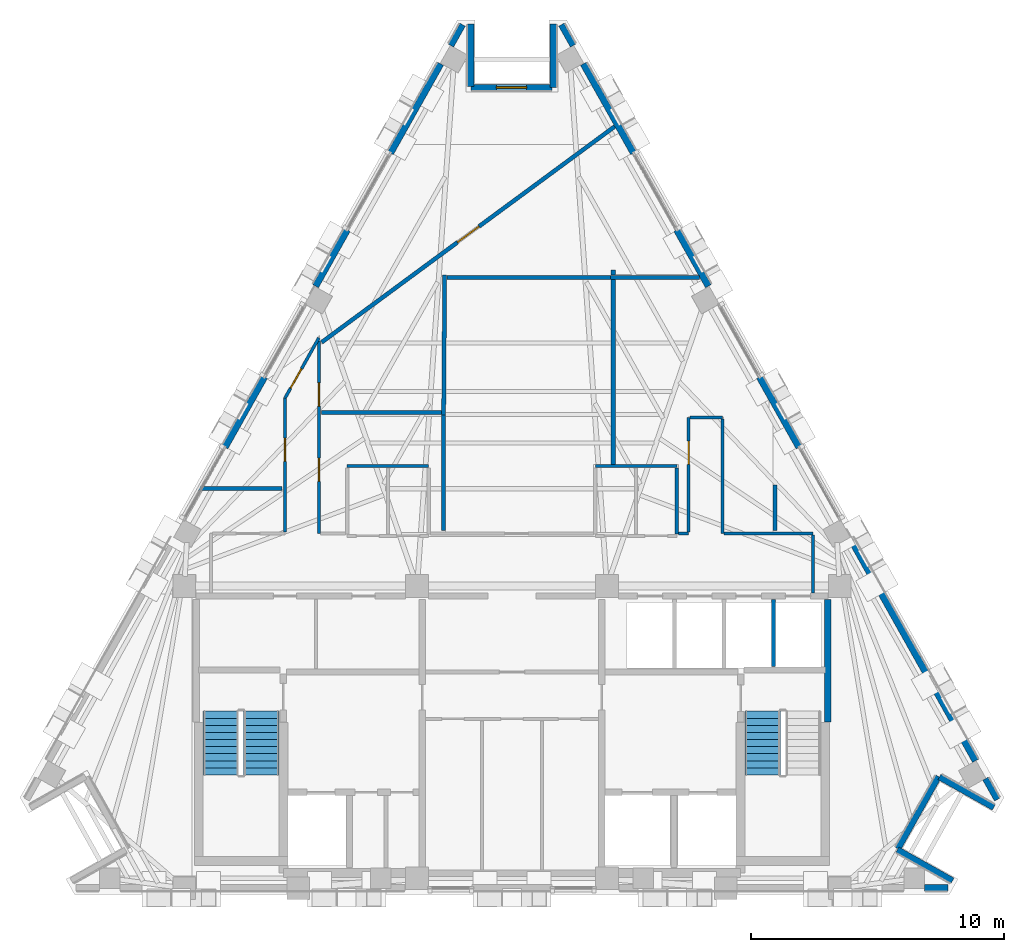
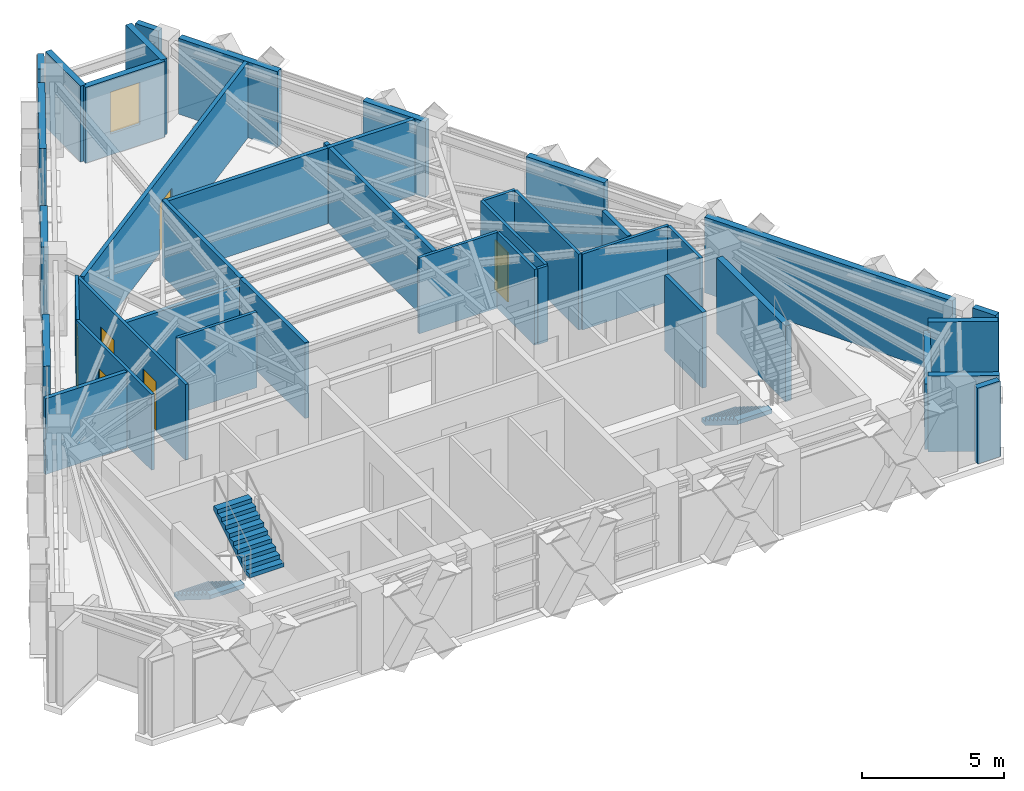
# One storey, part 8 of 11: 41 walls, 6 doors, 3 stair flights, 1 window, 7 openings, 2 elements without a shape of their own.
"""IFC4 building model written with IfcOpenShell, lengths in metres."""

from ifc_helpers import new_model, si_unit, direction, frame, frame_2d, origin, place, context, subcontext, project, spatial, polyline, rectangle, outline, extrude, material, layer, layer_set, type_object, element, fill, aggregate, save


model = new_model("IFC4")

# Units and contexts
model_context = context("Model", 3, precision=1e-05, world=origin(), true_north=direction((0.0, 1.0)))
body_context = subcontext(model_context, "Body", "Model", "MODEL_VIEW")
ifc_project = project(units=[si_unit("LENGTHUNIT", "METRE"), si_unit("AREAUNIT", "SQUARE_METRE"), si_unit("VOLUMEUNIT", "CUBIC_METRE"), si_unit("PLANEANGLEUNIT", "RADIAN"), si_unit("MASSUNIT", "GRAM", prefix="KILO")], contexts=[model_context])

# Site, building, storey
site_placement = place(None, origin())
site = spatial("IfcSite", under=ifc_project, at=site_placement, CompositionType="ELEMENT")
building_placement = place(site_placement, origin())
building = spatial("IfcBuilding", under=site, at=building_placement, Name="Quenlor Broadcast Tower", CompositionType="ELEMENT")
storey_placement = place(building_placement, frame((0.0, 0.0, 242.89990234375)))
storey = spatial("IfcBuildingStorey", under=building, at=storey_placement, Name="L67", CompositionType="ELEMENT", Elevation=242.89990234375)

# Walls
ifc_material_1 = material(Name="Concrete C40/50", Category="concrete")
ifc_layer_1 = layer(ifc_material_1, 0.25)
ifc_layer_set_1 = layer_set([ifc_layer_1], Name="Fire Rated Concrete C40/50 Core Wall 250")
wall_type_1 = type_object("IfcWallType", Name="Fire Rated Concrete C40/50 Core Wall 250", PredefinedType="PARTITIONING", material=ifc_layer_set_1)
wall_1_placement = place(storey_placement, frame((12.47998046875, -10.179931640625, 0.0), z_axis=(0.0, 0.0, 1.0), x_axis=(0.0, 1.0, 0.0)))
element("IfcWall", 1, at=wall_1_placement, inside=storey, type_object=wall_type_1, Name="L67 Interior Wall CW-ST2-E2", PredefinedType="PARTITIONING", context=body_context, shape_type="SweptSolid", body=[
    extrude(rectangle(XDim=4.83984375, YDim=0.25, at=frame_2d((2.419921875, 0.0))), origin(), (0.0, 0.0, 1.0), 3.25),
])
ifc_material_2 = material(Name="Gypsum Fireboard Partition", Category="other")
ifc_layer_2 = layer(ifc_material_2, 0.159912109375)
ifc_layer_set_2 = layer_set([ifc_layer_2], Name="Fire Rated Shaft and Corridor Partition 160")
wall_type_2 = type_object("IfcWallType", Name="Fire Rated Shaft and Corridor Partition 160", PredefinedType="PARTITIONING", material=ifc_layer_set_2)
wall_2_placement = place(storey_placement, frame((10.324951171875, -7.992919921875, 0.0), z_axis=(0.0, 0.0, 1.0), x_axis=(0.0, 1.0, 0.0)))
element("IfcWall", 2, at=wall_2_placement, inside=storey, type_object=wall_type_2, Name="L67 Interior Wall CW-PLH-D3", PredefinedType="PARTITIONING", context=body_context, shape_type="SweptSolid", body=[
    extrude(rectangle(XDim=2.65283203125, YDim=0.159912109375, at=frame_2d((1.326416015625, 0.0))), origin(), (0.0, 0.0, 1.0), 3.25),
])

# Wall, opening, door
wall_3_placement = place(storey_placement, frame((4.059326171875, 13.353271484375, 0.0), z_axis=(0.0, 0.0, 1.0), x_axis=(-0.805191081939, -0.593015448, 0.0)))
wall_3 = element("IfcWall", 3, at=wall_3_placement, inside=storey, type_object=wall_type_2, Name="L67 Interior Wall PW-DV-01", PredefinedType="PARTITIONING", context=body_context, shape_type="SweptSolid", body=[
    extrude(rectangle(XDim=14.380859375, YDim=0.159912109375, at=frame_2d((7.1904296875, 0.0))), origin(), (0.0, 0.0, 1.0), 3.25),
])
opening_1_placement = place(wall_3_placement, frame((6.6650390625, 0.0, 0.0)))
opening_1 = element("IfcOpeningElement", 4, at=opening_1_placement, cuts=wall_3, Name="Opening FD-3", PredefinedType="OPENING", context=body_context, shape_type="SweptSolid", body=[
    extrude(rectangle(XDim=1.050048828125, YDim=2.1201171875, at=frame_2d((0.52490234375, 1.06005859375))), frame((0.0, 0.08984375, 0.0), z_axis=(0.0, -1.0, 0.0), x_axis=(1.0, 0.0, 0.0)), (0.0, 0.0, 1.0), 0.179931640625),
])
ifc_material_3 = material(Name="Galvanised Fire Steel Leaf", Category="steel")
door_type_1 = type_object("IfcDoorType", Name="Plant Room Fire Rated Door 1050x2120", OperationType="NOTDEFINED", PredefinedType="DOOR", material=ifc_material_3)
door_1_placement = place(opening_1_placement, origin())
door_1 = element("IfcDoor", 5, at=door_1_placement, inside=storey, type_object=door_type_1, Name="L67 Connecting Door FB01", OperationType="SINGLE_SWING_LEFT", OverallHeight=2.1201171875, OverallWidth=1.050048828125, PredefinedType="DOOR", context=body_context, shape_type="SweptSolid", body=[
    extrude(rectangle(XDim=1.050048828125, YDim=2.1201171875, at=frame_2d((0.52490234375, 1.06005859375))), frame((0.0, 0.02490234375, 0.0), z_axis=(0.0, -1.0, 0.0), x_axis=(1.0, 0.0, 0.0)), (0.0, 0.0, 1.0), 0.050048828125),
])
fill(opening_1, door_1)

# Walls
wall_4_placement = place(storey_placement, frame((7.41357421875, 7.389892578125, 0.0), z_axis=(0.0, 0.0, 1.0), x_axis=(-0.99999938203, 0.001111728051, 0.0)))
element("IfcWall", 6, at=wall_4_placement, inside=storey, type_object=wall_type_2, Name="L67 Interior Wall PW-DV-02", PredefinedType="PARTITIONING", context=body_context, shape_type="SweptSolid", body=[
    extrude(rectangle(XDim=3.513671875, YDim=0.159912109375, at=frame_2d((1.7568359375, 0.0))), origin(), (0.0, 0.0, 1.0), 3.25),
])
wall_5_placement = place(storey_placement, frame((-2.6591796875, 7.49365234375, 0.0), z_axis=(0.0, 0.0, 1.0), x_axis=(-0.0074963718, -0.99997190181, 0.0)))
element("IfcWall", 7, at=wall_5_placement, inside=storey, type_object=wall_type_2, Name="L67 Interior Wall PW-DV-03", PredefinedType="PARTITIONING", context=body_context, shape_type="SweptSolid", body=[
    extrude(rectangle(XDim=5.53662109375, YDim=0.159912109375, at=frame_2d((2.768310546875, 0.0))), origin(), (0.0, 0.0, 1.0), 3.25),
])
wall_6_placement = place(storey_placement, frame((3.89794921875, 7.3935546875, 0.0), z_axis=(0.0, 0.0, 1.0), x_axis=(-1.0, 0.0, 0.0)))
element("IfcWall", 8, at=wall_6_placement, inside=storey, type_object=wall_type_2, Name="L67 Interior Wall PW-DV-04", PredefinedType="PARTITIONING", context=body_context, shape_type="SweptSolid", body=[
    extrude(rectangle(XDim=6.475830078125, YDim=0.159912109375, at=frame_2d((3.23779296875, 0.0))), origin(), (0.0, 0.0, 1.0), 3.25),
])
wall_7_placement = place(storey_placement, frame((-2.781982421875, 2.057373046875, 0.0), z_axis=(0.0, 0.0, 1.0), x_axis=(-1.0, 0.0, 0.0)))
element("IfcWall", 9, at=wall_7_placement, inside=storey, type_object=wall_type_2, Name="L67 Interior Wall PW-DV-05", PredefinedType="PARTITIONING", context=body_context, shape_type="SweptSolid", body=[
    extrude(rectangle(XDim=4.738037109375, YDim=0.159912109375, at=frame_2d((2.369140625, 0.0))), origin(), (0.0, 0.0, 1.0), 2.94287109375),
])
wall_8_placement = place(storey_placement, frame((4.0, -0.010009765625, 0.0), z_axis=(0.0, 0.0, 1.0), x_axis=(0.0, 1.0, 0.0)))
element("IfcWall", 10, at=wall_8_placement, inside=storey, type_object=wall_type_2, Name="L67 Interior Wall PW-DV-06", PredefinedType="PARTITIONING", context=body_context, shape_type="SweptSolid", body=[
    extrude(rectangle(XDim=7.321533203125, YDim=0.159912109375, at=frame_2d((3.66064453125, 0.0))), origin(), (0.0, 0.0, 1.0), 3.25),
])
wall_9_placement = place(storey_placement, frame((4.0, 7.4755859375, 0.0), z_axis=(0.0, 0.0, 1.0), x_axis=(0.0, 1.0, 0.0)))
element("IfcWall", 11, at=wall_9_placement, inside=storey, type_object=wall_type_2, Name="L67 Interior Wall PW-DV-06S2", PredefinedType="PARTITIONING", context=body_context, shape_type="SweptSolid", body=[
    extrude(rectangle(XDim=0.204345703125, YDim=0.159912109375, at=frame_2d((0.10205078125, 0.0))), origin(), (0.0, 0.0, 1.0), 3.25),
])
wall_10_placement = place(storey_placement, frame((10.389892578125, -0.8134765625, 0.0), z_axis=(0.0, 0.0, 1.0), x_axis=(0.0, -1.0, 0.0)))
element("IfcWall", 12, at=wall_10_placement, inside=storey, type_object=wall_type_2, Name="L67 Interior Wall PW-DV-07", PredefinedType="PARTITIONING", context=body_context, shape_type="SweptSolid", body=[
    extrude(rectangle(XDim=1.806640625, YDim=0.159912109375, at=frame_2d((0.9033203125, 0.0))), origin(), (0.0, 0.0, 1.0), 3.25),
])
wall_11_placement = place(storey_placement, frame((-2.699951171875, -2.6201171875, 0.0), z_axis=(0.0, 0.0, 1.0), x_axis=(0.0, 1.0, 0.0)))
element("IfcWall", 13, at=wall_11_placement, inside=storey, type_object=wall_type_2, Name="L67 Interior Wall PW-DV-08", PredefinedType="PARTITIONING", context=body_context, shape_type="SweptSolid", body=[
    extrude(rectangle(XDim=4.575439453125, YDim=0.159912109375, at=frame_2d((2.28759765625, 0.0))), origin(), (0.0, 0.0, 1.0), 3.25),
])
wall_12_placement = place(storey_placement, frame((-9.080078125, -0.953369140625, 0.0), z_axis=(0.0, 0.0, 1.0), x_axis=(-1.0, 0.0, 0.0)))
element("IfcWall", 14, at=wall_12_placement, inside=storey, type_object=wall_type_2, Name="L67 Interior Wall PW-DV-09", PredefinedType="PARTITIONING", context=body_context, shape_type="SweptSolid", body=[
    extrude(rectangle(XDim=3.298583984375, YDim=0.159912109375, at=frame_2d((1.6494140625, 0.0))), origin(), (0.0, 0.0, 1.0), 3.25),
])
ifc_material_4 = material(Name="Gypsum Plasterboard Partition", Category="other")
ifc_layer_3 = layer(ifc_material_4, 0.1201171875)
ifc_layer_set_3 = layer_set([ifc_layer_3], Name="Standard Office Partition 120")
wall_type_3 = type_object("IfcWallType", Name="Standard Office Partition 120", PredefinedType="PARTITIONING", material=ifc_layer_set_3)
for number, where, z_axis, x_axis, name in (
    (15, (-6.510009765625, -0.070068359375, 0.0), (0.0, 0.0, 1.0), (1.0, 0.0, 0.0), "L67 Interior Wall PW-WCW-N"),
    (16, (3.2900390625, -0.070068359375, 0.0), (0.0, 0.0, 1.0), (1.0, 0.0, 0.0), "L67 Interior Wall PW-WCE-N"),
):
    element("IfcWall", number, at=place(storey_placement, frame(where, z_axis=z_axis, x_axis=x_axis)), inside=storey, type_object=wall_type_3, Name=name, PredefinedType="PARTITIONING", context=body_context, shape_type="SweptSolid", body=[
        extrude(rectangle(XDim=3.219970703125, YDim=0.1201171875, at=frame_2d((1.60986328125, 0.0))), origin(), (0.0, 0.0, 1.0), 3.25),
    ])
wall_13_placement = place(storey_placement, frame((6.510009765625, -2.758056640625, 0.0), z_axis=(0.0, 0.0, 1.0), x_axis=(0.0, 1.0, 0.0)))
element("IfcWall", 17, at=wall_13_placement, inside=storey, type_object=wall_type_3, Name="L67 Interior Wall PW-WCE-E", PredefinedType="PARTITIONING", context=body_context, shape_type="SweptSolid", body=[
    extrude(rectangle(XDim=2.6259765625, YDim=0.1201171875, at=frame_2d((1.31298828125, 0.0))), origin(), (0.0, 0.0, 1.0), 3.25),
])

# Wall, opening, door
wall_14_placement = place(storey_placement, frame((-8.969970703125, -2.66796875, 0.0), z_axis=(0.0, 0.0, 1.0), x_axis=(0.0, 1.0, 0.0)))
wall_14 = element("IfcWall", 18, at=wall_14_placement, inside=storey, type_object=wall_type_3, Name="L67 Interior Wall PW-CR-03", PredefinedType="PARTITIONING", context=body_context, shape_type="SweptSolid", body=[
    extrude(rectangle(XDim=5.2861328125, YDim=0.1201171875, at=frame_2d((2.64306640625, 0.0))), origin(), (0.0, 0.0, 1.0), 3.25),
])
opening_2_placement = place(wall_14_placement, frame((2.791015625, 0.0, 0.0)))
opening_2 = element("IfcOpeningElement", 19, at=opening_2_placement, cuts=wall_14, Name="Opening ID-1", PredefinedType="OPENING", context=body_context, shape_type="SweptSolid", body=[
    extrude(rectangle(XDim=0.919921875, YDim=2.1201171875, at=frame_2d((0.4599609375, 1.06005859375))), frame((0.0, 0.070068359375, 0.0), z_axis=(0.0, -1.0, 0.0), x_axis=(1.0, 0.0, 0.0)), (0.0, 0.0, 1.0), 0.14013671875),
])
ifc_material_5 = material(Name="Solid Core Timber Oak", Category="wood")
door_type_2 = type_object("IfcDoorType", Name="Single Leaf Timber Office Door 920x2120", OperationType="NOTDEFINED", PredefinedType="DOOR", material=ifc_material_5)
door_2_placement = place(opening_2_placement, origin())
door_2 = element("IfcDoor", 20, at=door_2_placement, inside=storey, type_object=door_type_2, Name="L67 Door DR-RM05", OperationType="SINGLE_SWING_RIGHT", OverallHeight=2.1201171875, OverallWidth=0.919921875, PredefinedType="DOOR", context=body_context, shape_type="SweptSolid", body=[
    extrude(rectangle(XDim=0.919921875, YDim=2.1201171875, at=frame_2d((0.4599609375, 1.06005859375))), frame((0.0, 0.02490234375, 0.0), z_axis=(0.0, -1.0, 0.0), x_axis=(1.0, 0.0, 0.0)), (0.0, 0.0, 1.0), 0.050048828125),
])
fill(opening_2, door_2)

wall_15_placement = place(storey_placement, frame((-8.968994140625, 2.6201171875, 0.0), z_axis=(0.0, 0.0, 1.0), x_axis=(0.490341880416, 0.871530171773, 0.0)))
wall_15 = element("IfcWall", 21, at=wall_15_placement, inside=storey, type_object=wall_type_3, Name="L67 Interior Wall PW-CR-04", PredefinedType="PARTITIONING", context=body_context, shape_type="SweptSolid", body=[
    extrude(rectangle(XDim=2.73095703125, YDim=0.1201171875, at=frame_2d((1.365478515625, 0.0))), origin(), (0.0, 0.0, 1.0), 3.25),
])
opening_3_placement = place(wall_15_placement, frame((0.450927734375, 0.0, 0.0)))
opening_3 = element("IfcOpeningElement", 22, at=opening_3_placement, cuts=wall_15, Name="Opening ID-4", PredefinedType="OPENING", context=body_context, shape_type="SweptSolid", body=[
    extrude(rectangle(XDim=0.8798828125, YDim=2.1201171875, at=frame_2d((0.43994140625, 1.06005859375))), frame((0.0, 0.070068359375, 0.0), z_axis=(0.0, -1.0, 0.0), x_axis=(1.0, 0.0, 0.0)), (0.0, 0.0, 1.0), 0.14013671875),
])
ifc_material_6 = material(Name="Solid Core Timber Oak", Category="wood")
door_type_3 = type_object("IfcDoorType", Name="Service Closet Timber Door 880x2120", OperationType="NOTDEFINED", PredefinedType="DOOR", material=ifc_material_6)
door_3_placement = place(opening_3_placement, origin())
door_3 = element("IfcDoor", 23, at=door_3_placement, inside=storey, type_object=door_type_3, Name="L67 Door DR-RM01", OperationType="SINGLE_SWING_RIGHT", OverallHeight=2.1201171875, OverallWidth=0.8798828125, PredefinedType="DOOR", context=body_context, shape_type="SweptSolid", body=[
    extrude(rectangle(XDim=0.8798828125, YDim=2.1201171875, at=frame_2d((0.43994140625, 1.06005859375))), frame((0.0, 0.02490234375, 0.0), z_axis=(0.0, -1.0, 0.0), x_axis=(1.0, 0.0, 0.0)), (0.0, 0.0, 1.0), 0.050048828125),
])
fill(opening_3, door_3)

# Wall, openings, doors
wall_16_placement = place(storey_placement, frame((-7.6298828125, 4.873779296875, 0.0), z_axis=(0.0, 0.0, 1.0), x_axis=(0.0, -1.0, 0.0)))
wall_16 = element("IfcWall", 24, at=wall_16_placement, inside=storey, type_object=wall_type_3, Name="L67 Interior Wall PW-CR-05", PredefinedType="PARTITIONING", context=body_context, shape_type="SweptSolid", body=[
    extrude(rectangle(XDim=7.603759765625, YDim=0.1201171875, at=frame_2d((3.8017578125, 0.0))), origin(), (0.0, 0.0, 1.0), 3.25),
])
opening_4_placement = place(wall_16_placement, frame((1.655029296875, 0.0, 0.0)))
opening_4 = element("IfcOpeningElement", 25, at=opening_4_placement, cuts=wall_16, Name="Opening ID-1", PredefinedType="OPENING", context=body_context, shape_type="SweptSolid", body=[
    extrude(rectangle(XDim=0.919921875, YDim=2.1201171875, at=frame_2d((0.4599609375, 1.06005859375))), frame((0.0, 0.070068359375, 0.0), z_axis=(0.0, -1.0, 0.0), x_axis=(1.0, 0.0, 0.0)), (0.0, 0.0, 1.0), 0.14013671875),
])
opening_5_placement = place(wall_16_placement, frame((4.6201171875, 0.0, 0.0)))
opening_5 = element("IfcOpeningElement", 26, at=opening_5_placement, cuts=wall_16, Name="Opening ID-1", PredefinedType="OPENING", context=body_context, shape_type="SweptSolid", body=[
    extrude(rectangle(XDim=0.919921875, YDim=2.1201171875, at=frame_2d((0.4599609375, 1.06005859375))), frame((0.0, 0.070068359375, 0.0), z_axis=(0.0, -1.0, 0.0), x_axis=(1.0, 0.0, 0.0)), (0.0, 0.0, 1.0), 0.14013671875),
])
door_4_placement = place(opening_4_placement, origin())
door_4 = element("IfcDoor", 27, at=door_4_placement, inside=storey, type_object=door_type_2, Name="L67 Door DR-RM02", OperationType="SINGLE_SWING_LEFT", OverallHeight=2.1201171875, OverallWidth=0.919921875, PredefinedType="DOOR", context=body_context, shape_type="SweptSolid", body=[
    extrude(rectangle(XDim=0.919921875, YDim=2.1201171875, at=frame_2d((0.4599609375, 1.06005859375))), frame((0.0, 0.02490234375, 0.0), z_axis=(0.0, -1.0, 0.0), x_axis=(1.0, 0.0, 0.0)), (0.0, 0.0, 1.0), 0.050048828125),
])
fill(opening_4, door_4)
door_5_placement = place(opening_5_placement, origin())
door_5 = element("IfcDoor", 28, at=door_5_placement, inside=storey, type_object=door_type_2, Name="L67 Door DR-RM06", OperationType="SINGLE_SWING_LEFT", OverallHeight=2.1201171875, OverallWidth=0.919921875, PredefinedType="DOOR", context=body_context, shape_type="SweptSolid", body=[
    extrude(rectangle(XDim=0.919921875, YDim=2.1201171875, at=frame_2d((0.4599609375, 1.06005859375))), frame((0.0, 0.02490234375, 0.0), z_axis=(0.0, -1.0, 0.0), x_axis=(1.0, 0.0, 0.0)), (0.0, 0.0, 1.0), 0.050048828125),
])
fill(opening_5, door_5)

# Wall
wall_17_placement = place(storey_placement, frame((6.572021484375, -2.72998046875, 0.0), z_axis=(0.0, 0.0, 1.0), x_axis=(1.0, 0.0, 0.0)))
element("IfcWall", 29, at=wall_17_placement, inside=storey, type_object=wall_type_3, Name="L67 Interior Wall PW-CR-10", PredefinedType="PARTITIONING", context=body_context, shape_type="SweptSolid", body=[
    extrude(rectangle(XDim=0.407958984375, YDim=0.1201171875, at=frame_2d((0.2041015625, 0.0))), origin(), (0.0, 0.0, 1.0), 3.25),
])

# Wall, opening, door
wall_18_placement = place(storey_placement, frame((6.97998046875, -2.66796875, 0.0), z_axis=(0.0, 0.0, 1.0), x_axis=(0.0, 1.0, 0.0)))
wall_18 = element("IfcWall", 30, at=wall_18_placement, inside=storey, type_object=wall_type_3, Name="L67 Interior Wall PW-CR-11", PredefinedType="PARTITIONING", context=body_context, shape_type="SweptSolid", body=[
    extrude(rectangle(XDim=4.51806640625, YDim=0.1201171875, at=frame_2d((2.259033203125, 0.0))), origin(), (0.0, 0.0, 1.0), 3.25),
])
opening_6_placement = place(wall_18_placement, frame((2.66796875, 0.0, 0.0)))
opening_6 = element("IfcOpeningElement", 31, at=opening_6_placement, cuts=wall_18, Name="Opening ID-1", PredefinedType="OPENING", context=body_context, shape_type="SweptSolid", body=[
    extrude(rectangle(XDim=0.919921875, YDim=2.1201171875, at=frame_2d((0.4599609375, 1.06005859375))), frame((0.0, 0.070068359375, 0.0), z_axis=(0.0, -1.0, 0.0), x_axis=(1.0, 0.0, 0.0)), (0.0, 0.0, 1.0), 0.14013671875),
])
door_6_placement = place(opening_6_placement, origin())
door_6 = element("IfcDoor", 32, at=door_6_placement, inside=storey, type_object=door_type_2, Name="L67 Door DR-RM03", OperationType="SINGLE_SWING_RIGHT", OverallHeight=2.1201171875, OverallWidth=0.919921875, PredefinedType="DOOR", context=body_context, shape_type="SweptSolid", body=[
    extrude(rectangle(XDim=0.919921875, YDim=2.1201171875, at=frame_2d((0.4599609375, 1.06005859375))), frame((0.0, 0.02490234375, 0.0), z_axis=(0.0, -1.0, 0.0), x_axis=(1.0, 0.0, 0.0)), (0.0, 0.0, 1.0), 0.050048828125),
])
fill(opening_6, door_6)

# Walls
wall_19_placement = place(storey_placement, frame((7.0419921875, 1.85009765625, 0.0), z_axis=(0.0, 0.0, 1.0), x_axis=(1.0, 0.0, 0.0)))
element("IfcWall", 33, at=wall_19_placement, inside=storey, type_object=wall_type_3, Name="L67 Interior Wall PW-CR-12", PredefinedType="PARTITIONING", context=body_context, shape_type="SweptSolid", body=[
    extrude(rectangle(XDim=1.278076171875, YDim=0.1201171875, at=frame_2d((0.63916015625, 0.0))), origin(), (0.0, 0.0, 1.0), 3.25),
])
wall_20_placement = place(storey_placement, frame((8.320068359375, 1.7880859375, 0.0), z_axis=(0.0, 0.0, 1.0), x_axis=(0.0, -1.0, 0.0)))
element("IfcWall", 34, at=wall_20_placement, inside=storey, type_object=wall_type_3, Name="L67 Interior Wall PW-CR-13", PredefinedType="PARTITIONING", context=body_context, shape_type="SweptSolid", body=[
    extrude(rectangle(XDim=4.51806640625, YDim=0.1201171875, at=frame_2d((2.259033203125, 0.0))), origin(), (0.0, 0.0, 1.0), 3.25),
])
wall_21_placement = place(storey_placement, frame((8.382080078125, -2.72998046875, 0.0), z_axis=(0.0, 0.0, 1.0), x_axis=(1.0, 0.0, 0.0)))
element("IfcWall", 35, at=wall_21_placement, inside=storey, type_object=wall_type_3, Name="L67 Interior Wall PW-CR-14", PredefinedType="PARTITIONING", context=body_context, shape_type="SweptSolid", body=[
    extrude(rectangle(XDim=3.517822265625, YDim=0.1201171875, at=frame_2d((1.7587890625, 0.0))), origin(), (0.0, 0.0, 1.0), 3.25),
])
wall_22_placement = place(storey_placement, frame((11.89990234375, -2.7919921875, 0.0), z_axis=(0.0, 0.0, 1.0), x_axis=(0.0, -1.0, 0.0)))
element("IfcWall", 36, at=wall_22_placement, inside=storey, type_object=wall_type_3, Name="L67 Interior Wall PW-CR-15", PredefinedType="PARTITIONING", context=body_context, shape_type="SweptSolid", body=[
    extrude(rectangle(XDim=2.281005859375, YDim=0.1201171875, at=frame_2d((1.140625, 0.0))), origin(), (0.0, 0.0, 1.0), 3.25),
])
ifc_material_7 = material(Name="Precast concrete C40/50", Category="concrete")
ifc_layer_4 = layer(ifc_material_7, 0.239990234375)
ifc_layer_set_4 = layer_set([ifc_layer_4], Name="Terrace Threshold Precast Concrete C40/50 Wall 240")
wall_type_4 = type_object("IfcWallType", Name="Terrace Threshold Precast Concrete C40/50 Wall 240", PredefinedType="STANDARD", material=ifc_layer_set_4)
wall_23_placement = place(storey_placement, frame((17.219970703125, -16.72509765625, 0.0), z_axis=(0.0, 0.0, 1.0), x_axis=(-1.0, 0.0, 0.0)))
element("IfcWall", 37, at=wall_23_placement, inside=storey, type_object=wall_type_4, Name="L67 Exterior Wall L67-SHD-SS0", PredefinedType="STANDARD", context=body_context, shape_type="SweptSolid", body=[
    extrude(rectangle(XDim=0.91748046875, YDim=0.239990234375, at=frame_2d((0.458740234375, 0.0))), origin(), (0.0, 0.0, 1.0), 3.25),
])
for number, where, z_axis, x_axis, name in (
    (38, (1.94970703125, 17.372802734375, 0.0), (0.0, 0.0, 1.0), (0.490199895283, -0.871610040479, 0.0), "L67 Exterior Wall L67-SHD-NES0"),
    (39, (18.707763671875, -12.4189453125, 0.0), (0.0, 0.0, 1.0), (0.490199895283, -0.871610040479, 0.0), "L67 Exterior Wall L67-SHD-NES1"),
    (40, (-2.412841796875, 16.54931640625, 0.0), (0.0, 0.0, 1.0), (0.490199895283, 0.871610040479, 0.0), "L67 Exterior Wall L67-SHD-NWS1"),
):
    element("IfcWall", number, at=place(storey_placement, frame(where, z_axis=z_axis, x_axis=x_axis)), inside=storey, type_object=wall_type_4, Name=name, PredefinedType="STANDARD", context=body_context, shape_type="SweptSolid", body=[
        extrude(rectangle(XDim=0.94482421875, YDim=0.239990234375, at=frame_2d((0.472412109375, 0.0))), origin(), (0.0, 0.0, 1.0), 3.25),
    ])
wall_24_placement = place(storey_placement, frame((17.40771484375, -16.446533203125, 0.0), z_axis=(0.0, 0.0, 1.0), x_axis=(-0.871588577066, 0.490238056792, 0.0)))
element("IfcWall", 41, at=wall_24_placement, inside=storey, type_object=wall_type_4, Name="L67 Exterior Wall L67-CNR-01", PredefinedType="STANDARD", context=body_context, shape_type="SweptSolid", body=[
    extrude(rectangle(XDim=2.5, YDim=0.239990234375, at=frame_2d((1.25, 0.0))), origin(), (0.0, 0.0, 1.0), 3.25),
])
wall_25_placement = place(storey_placement, frame((15.248291015625, -15.18603515625, 0.0), z_axis=(0.0, 0.0, 1.0), x_axis=(0.490293083368, 0.871557624258, 0.0)))
element("IfcWall", 42, at=wall_25_placement, inside=storey, type_object=wall_type_4, Name="L67 Exterior Wall L67-CNR-02", PredefinedType="STANDARD", context=body_context, shape_type="SweptSolid", body=[
    extrude(rectangle(XDim=3.276123046875, YDim=0.239990234375, at=frame_2d((1.63818359375, 0.0))), origin(), (0.0, 0.0, 1.0), 2.789794921875),
])
wall_26_placement = place(storey_placement, frame((16.889404296875, -12.350341796875, 0.0), z_axis=(0.0, 0.0, 1.0), x_axis=(0.87157023615, -0.490270663468, 0.0)))
element("IfcWall", 43, at=wall_26_placement, inside=storey, type_object=wall_type_4, Name="L67 Exterior Wall L67-CNR-03", PredefinedType="STANDARD", context=body_context, shape_type="SweptSolid", body=[
    extrude(rectangle(XDim=2.4599609375, YDim=0.239990234375, at=frame_2d((1.22998046875, 0.0))), origin(), (0.0, 0.0, 1.0), 3.25),
])
wall_27_placement = place(storey_placement, frame((1.62890625, 17.39990234375, 0.0), z_axis=(0.0, 0.0, 1.0), x_axis=(0.0, -1.0, 0.0)))
element("IfcWall", 44, at=wall_27_placement, inside=storey, type_object=wall_type_4, Name="L67 Exterior Wall L67-CNR-07", PredefinedType="STANDARD", context=body_context, shape_type="SweptSolid", body=[
    extrude(rectangle(XDim=2.5, YDim=0.239990234375, at=frame_2d((1.25, 0.0))), origin(), (0.0, 0.0, 1.0), 3.25),
])

# Wall, opening, window
wall_28_placement = place(storey_placement, frame((1.5888671875, 14.89990234375, 0.0), z_axis=(0.0, 0.0, 1.0), x_axis=(-1.0, 0.0, 0.0)))
wall_28 = element("IfcWall", 45, at=wall_28_placement, inside=storey, type_object=wall_type_4, Name="L67 Exterior Wall L67-CNR-08", PredefinedType="STANDARD", context=body_context, shape_type="SweptSolid", body=[
    extrude(rectangle(XDim=3.2177734375, YDim=0.239990234375, at=frame_2d((1.60888671875, 0.0))), origin(), (0.0, 0.0, 1.0), 3.25),
])
opening_7_placement = place(wall_28_placement, frame((1.009033203125, 0.0, 0.89990234375)))
opening_7 = element("IfcOpeningElement", 46, at=opening_7_placement, cuts=wall_28, Name="Opening WN-5", PredefinedType="OPENING", context=body_context, shape_type="SweptSolid", body=[
    extrude(rectangle(XDim=1.199951171875, YDim=1.800048828125, at=frame_2d((0.60009765625, 0.89990234375))), frame((0.0, 0.1298828125, 0.0), z_axis=(0.0, -1.0, 0.0), x_axis=(1.0, 0.0, 0.0)), (0.0, 0.0, 1.0), 0.260009765625),
])
ifc_material_8 = material(Name="Thermally Broken Aluminium and Low-E Glass", Category="aluminium")
window_type = type_object("IfcWindowType", Name="Corner Chamfer Punched Window 1200x1800", PartitioningType="SINGLE_PANEL", PredefinedType="WINDOW", material=ifc_material_8)
window_placement = place(opening_7_placement, origin())
window = element("IfcWindow", 47, at=window_placement, inside=storey, type_object=window_type, Name="L67 Corner Chamfer Window 8", OverallHeight=1.800048828125, OverallWidth=1.199951171875, PartitioningType="SINGLE_PANEL", PredefinedType="WINDOW", context=body_context, shape_type="SweptSolid", body=[
    extrude(rectangle(XDim=1.199951171875, YDim=1.800048828125, at=frame_2d((0.60009765625, 0.89990234375))), frame((0.0, 0.030029296875, 0.0), z_axis=(0.0, -1.0, 0.0), x_axis=(1.0, 0.0, 0.0)), (0.0, 0.0, 1.0), 0.06005859375),
])
fill(opening_7, window)

# Walls
wall_29_placement = place(storey_placement, frame((-1.62890625, 14.93994140625, 0.0), z_axis=(0.0, 0.0, 1.0), x_axis=(0.0, 1.0, 0.0)))
element("IfcWall", 48, at=wall_29_placement, inside=storey, type_object=wall_type_4, Name="L67 Exterior Wall L67-CNR-09", PredefinedType="STANDARD", context=body_context, shape_type="SweptSolid", body=[
    extrude(rectangle(XDim=2.4599609375, YDim=0.239990234375, at=frame_2d((1.22998046875, 0.0))), origin(), (0.0, 0.0, 1.0), 3.25),
])
ifc_material_9 = material(Name="Precast concrete C40/50", Category="concrete")
ifc_layer_5 = layer(ifc_material_9, 0.260009765625)
ifc_layer_set_5 = layer_set([ifc_layer_5], Name="Terracotta Precast Concrete C40/50 Upper Wall 260")
wall_type_5 = type_object("IfcWallType", Name="Terracotta Precast Concrete C40/50 Upper Wall 260", PredefinedType="STANDARD", material=ifc_layer_set_5)
wall_30_placement = place(storey_placement, frame((2.81982421875, 15.825927734375, 0.0), z_axis=(0.0, 0.0, 1.0), x_axis=(0.490307113915, -0.871549731251, 0.0)))
element("IfcWall", 49, at=wall_30_placement, inside=storey, type_object=wall_type_5, Name="L67 Exterior Wall L67-NEA-SP1", PredefinedType="STANDARD", context=body_context, shape_type="SweptSolid", body=[
    extrude(rectangle(XDim=4.042724609375, YDim=0.260009765625, at=frame_2d((2.021484375, 0.0))), origin(), (0.0, 0.0, 1.0), 3.25),
])
wall_31_placement = place(storey_placement, frame((6.509521484375, 9.266357421875, 0.0), z_axis=(0.0, 0.0, 1.0), x_axis=(0.490333959365, -0.871534628281, 0.0)))
element("IfcWall", 50, at=wall_31_placement, inside=storey, type_object=wall_type_5, Name="L67 Exterior Wall L67-NEA-SP2", PredefinedType="STANDARD", context=body_context, shape_type="SweptSolid", body=[
    extrude(rectangle(XDim=2.55029296875, YDim=0.260009765625, at=frame_2d((1.275146484375, 0.0))), origin(), (0.0, 0.0, 1.0), 3.25),
])
wall_32_placement = place(storey_placement, frame((13.350830078125, -2.895751953125, 0.0), z_axis=(0.0, 0.0, 1.0), x_axis=(0.490266968583, -0.871572314565, 0.0)))
element("IfcWall", 51, at=wall_32_placement, inside=storey, type_object=wall_type_5, Name="L67 Exterior Wall L67-EW-NEC", PredefinedType="STANDARD", context=body_context, shape_type="SweptSolid", body=[
    extrude(rectangle(XDim=10.116455078125, YDim=0.260009765625, at=frame_2d((5.05810546875, 0.0))), origin(), (0.0, 0.0, 1.0), 3.25),
])
wall_33_placement = place(storey_placement, frame((9.779296875, 3.45361328125, 0.0), z_axis=(0.0, 0.0, 1.0), x_axis=(0.490268515903, -0.871571444182, 0.0)))
element("IfcWall", 52, at=wall_33_placement, inside=storey, type_object=wall_type_5, Name="L67 Exterior Wall L67-NE-SP1", PredefinedType="STANDARD", context=body_context, shape_type="SweptSolid", body=[
    extrude(rectangle(XDim=3.18603515625, YDim=0.260009765625, at=frame_2d((1.593017578125, 0.0))), origin(), (0.0, 0.0, 1.0), 3.25),
])
wall_34_placement = place(storey_placement, frame((-7.760009765625, 7.043701171875, 0.0), z_axis=(0.0, 0.0, 1.0), x_axis=(0.490333959365, 0.871534628281, 0.0)))
element("IfcWall", 53, at=wall_34_placement, inside=storey, type_object=wall_type_5, Name="L67 Exterior Wall L67-NWC-SP1", PredefinedType="STANDARD", context=body_context, shape_type="SweptSolid", body=[
    extrude(rectangle(XDim=2.55029296875, YDim=0.260009765625, at=frame_2d((1.275146484375, 0.0))), origin(), (0.0, 0.0, 1.0), 3.25),
])
wall_35_placement = place(storey_placement, frame((-4.802001953125, 12.302490234375, 0.0), z_axis=(0.0, 0.0, 1.0), x_axis=(0.490307113915, 0.871549731251, 0.0)))
element("IfcWall", 54, at=wall_35_placement, inside=storey, type_object=wall_type_5, Name="L67 Exterior Wall L67-NWC-SP2", PredefinedType="STANDARD", context=body_context, shape_type="SweptSolid", body=[
    extrude(rectangle(XDim=4.042724609375, YDim=0.260009765625, at=frame_2d((2.021484375, 0.0))), origin(), (0.0, 0.0, 1.0), 3.25),
])
wall_36_placement = place(storey_placement, frame((-11.34130859375, 0.6767578125, 0.0), z_axis=(0.0, 0.0, 1.0), x_axis=(0.490268515903, 0.871571444182, 0.0)))
element("IfcWall", 55, at=wall_36_placement, inside=storey, type_object=wall_type_5, Name="L67 Exterior Wall L67-NW-SP1", PredefinedType="STANDARD", context=body_context, shape_type="SweptSolid", body=[
    extrude(rectangle(XDim=3.18603515625, YDim=0.260009765625, at=frame_2d((1.593017578125, 0.0))), origin(), (0.0, 0.0, 1.0), 3.25),
])

# Stair, stair flights
ifc_material_10 = material(Name="Precast concrete C40/50", Category="concrete")
stair_type = type_object("IfcStairType", Name="Precast Concrete C40/50 Dogleg Stair H350", PredefinedType="HALF_TURN_STAIR", material=ifc_material_10)
stair_1_placement = place(storey_placement, origin())
stair_1 = element("IfcStair", 56, at=stair_1_placement, inside=storey, type_object=stair_type, Name="L67 West Core Fire-Isolated Exit Stair ST-1", PredefinedType="HALF_TURN_STAIR")
ifc_material_11 = material(Name="Precast concrete C40/50", Category="concrete")
ifc_layer_6 = layer(ifc_material_11, 0.159912109375)
ifc_layer_set_6 = layer_set([ifc_layer_6], Name="Precast Concrete C40/50 Stair Flight H350")
stair_flight_type = type_object("IfcStairFlightType", Name="Precast Concrete C40/50 Stair Flight H350", PredefinedType="STRAIGHT", material=ifc_layer_set_6)
stair_flight_1_placement = place(storey_placement, frame((-11.5, -9.75, 0.0), z_axis=(0.0, 0.0, 1.0), x_axis=(0.0, -1.0, 0.0)))
stair_flight_1 = element("IfcStairFlight", 57, at=stair_flight_1_placement, type_object=stair_flight_type, Name="ST-1 flight 1", NumberOfRisers=10, NumberOfTreads=9, PredefinedType="STRAIGHT", RiserHeight=0.175, TreadLength=0.28, context=body_context, shape_type="SweptSolid", body=[
    extrude(outline(polyline([(0.0, 0.0), (0.0, 0.175048828125), (0.280029296875, 0.175048828125), (0.280029296875, 0.35009765625), (0.56005859375, 0.35009765625), (0.56005859375, 0.52490234375), (0.840087890625, 0.52490234375), (0.840087890625, 0.699951171875), (1.1201171875, 0.699951171875), (1.1201171875, 0.875), (1.39990234375, 0.875), (1.39990234375, 1.050048828125), (1.679931640625, 1.050048828125), (1.679931640625, 1.22509765625), (1.9599609375, 1.22509765625), (1.9599609375, 1.39990234375), (2.239990234375, 1.39990234375), (2.239990234375, 1.574951171875), (2.52001953125, 1.574951171875), (2.52001953125, 1.75), (2.52001953125, 1.398193359375), (0.28271484375, 0.0), (0.0, 0.0)])), frame((0.0, 0.699951171875, 0.0), z_axis=(0.0, -1.0, 0.0), x_axis=(1.0, 0.0, 0.0)), (0.0, 0.0, 1.0), 1.39990234375),
])
stair_flight_2_placement = place(storey_placement, frame((-9.89990234375, -12.27001953125, 1.75), z_axis=(0.0, 0.0, 1.0), x_axis=(0.0, 1.0, 0.0)))
stair_flight_2 = element("IfcStairFlight", 58, at=stair_flight_2_placement, type_object=stair_flight_type, Name="ST-1 flight 2", NumberOfRisers=10, NumberOfTreads=9, PredefinedType="STRAIGHT", RiserHeight=0.175, TreadLength=0.28, context=body_context, shape_type="SweptSolid", body=[
    extrude(outline(polyline([(0.0, 0.0), (0.0, 0.175048828125), (0.280029296875, 0.175048828125), (0.280029296875, 0.35009765625), (0.56005859375, 0.35009765625), (0.56005859375, 0.52490234375), (0.840087890625, 0.52490234375), (0.840087890625, 0.699951171875), (1.1201171875, 0.699951171875), (1.1201171875, 0.875), (1.39990234375, 0.875), (1.39990234375, 1.050048828125), (1.679931640625, 1.050048828125), (1.679931640625, 1.22509765625), (1.9599609375, 1.22509765625), (1.9599609375, 1.39990234375), (2.239990234375, 1.39990234375), (2.239990234375, 1.574951171875), (2.52001953125, 1.574951171875), (2.52001953125, 1.75), (2.52001953125, 1.398193359375), (0.28271484375, 0.0), (0.0, 0.0)])), frame((0.0, 0.699951171875, 0.0), z_axis=(0.0, -1.0, 0.0), x_axis=(1.0, 0.0, 0.0)), (0.0, 0.0, 1.0), 1.39990234375),
])
aggregate(stair_1, [stair_flight_1, stair_flight_2])

# Stair, stair flight
stair_2_placement = place(storey_placement, origin())
stair_2 = element("IfcStair", 59, at=stair_2_placement, inside=storey, type_object=stair_type, Name="L67 East Core Fire-Isolated Exit Stair ST-2", PredefinedType="HALF_TURN_STAIR")
stair_flight_3_placement = place(storey_placement, frame((9.89990234375, -9.75, 0.0), z_axis=(0.0, 0.0, 1.0), x_axis=(0.0, -1.0, 0.0)))
stair_flight_3 = element("IfcStairFlight", 60, at=stair_flight_3_placement, type_object=stair_flight_type, Name="ST-2 flight 1", NumberOfRisers=10, NumberOfTreads=9, PredefinedType="STRAIGHT", RiserHeight=0.175, TreadLength=0.28, context=body_context, shape_type="SweptSolid", body=[
    extrude(outline(polyline([(0.0, 0.0), (0.0, 0.175048828125), (0.280029296875, 0.175048828125), (0.280029296875, 0.35009765625), (0.56005859375, 0.35009765625), (0.56005859375, 0.52490234375), (0.840087890625, 0.52490234375), (0.840087890625, 0.699951171875), (1.1201171875, 0.699951171875), (1.1201171875, 0.875), (1.39990234375, 0.875), (1.39990234375, 1.050048828125), (1.679931640625, 1.050048828125), (1.679931640625, 1.22509765625), (1.9599609375, 1.22509765625), (1.9599609375, 1.39990234375), (2.239990234375, 1.39990234375), (2.239990234375, 1.574951171875), (2.52001953125, 1.574951171875), (2.52001953125, 1.75), (2.52001953125, 1.398193359375), (0.28271484375, 0.0), (0.0, 0.0)])), frame((0.0, 0.699951171875, 0.0), z_axis=(0.0, -1.0, 0.0), x_axis=(1.0, 0.0, 0.0)), (0.0, 0.0, 1.0), 1.39990234375),
])
aggregate(stair_2, [stair_flight_3])

save(model, "model.ifc")
